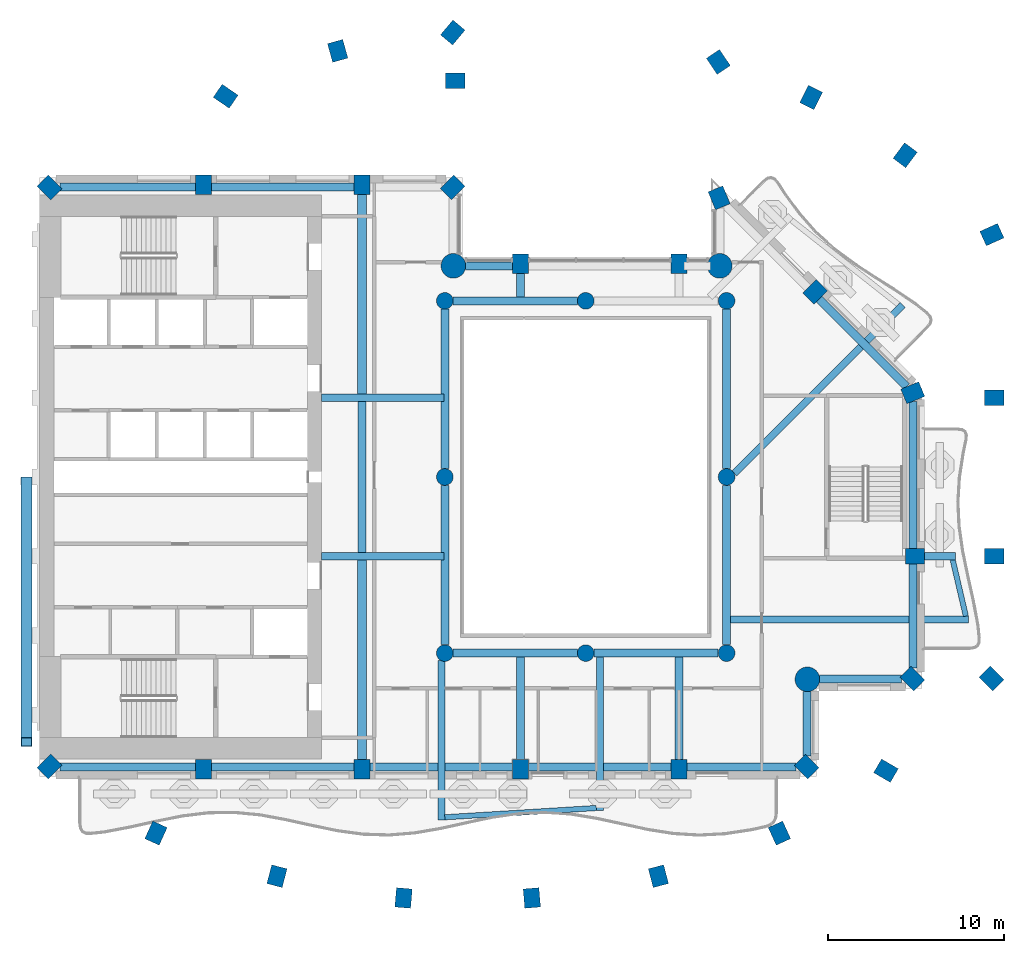
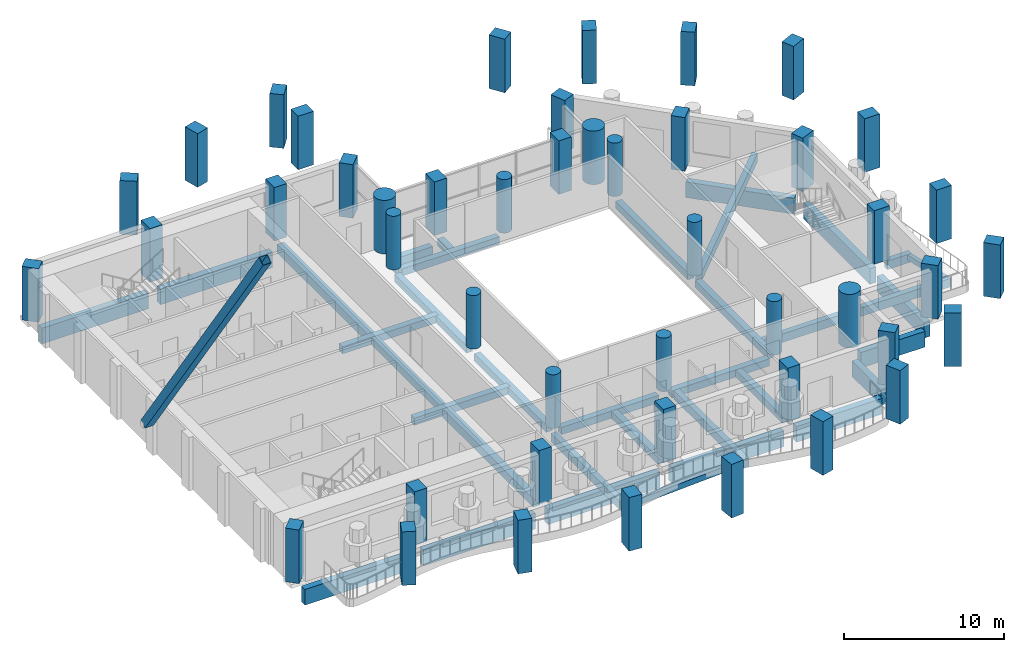
# One storey, part 1 of 16: 46 columns, 35 beams, 1 member.
"""IFC4 building model written with IfcOpenShell, lengths in metres."""

from ifc_helpers import new_model, si_unit, direction, frame, origin, origin_2d, place, context, subcontext, project, spatial, rectangle, hollow_rectangle, circle, extrude, material, material_profile, profile_set, type_object, element, save


model = new_model("IFC4")

# Units and contexts
model_context = context("Model", 3, precision=1e-05, world=origin(), true_north=direction((0.0, 1.0)))
body_context = subcontext(model_context, "Body", "Model", "MODEL_VIEW")
ifc_project = project(units=[si_unit("LENGTHUNIT", "METRE"), si_unit("AREAUNIT", "SQUARE_METRE"), si_unit("VOLUMEUNIT", "CUBIC_METRE"), si_unit("PLANEANGLEUNIT", "RADIAN"), si_unit("MASSUNIT", "GRAM", prefix="KILO")], contexts=[model_context])

# Site, building, storey
site_placement = place(None, origin())
site = spatial("IfcSite", under=ifc_project, at=site_placement, CompositionType="ELEMENT")
building_placement = place(site_placement, origin())
building = spatial("IfcBuilding", under=site, at=building_placement, Name="Cypress Arch Tower", CompositionType="ELEMENT")
storey_placement = place(building_placement, frame((0.0, 0.0, 172.800048828125)))
storey = spatial("IfcBuildingStorey", under=building, at=storey_placement, Name="L37", CompositionType="ELEMENT", Elevation=172.800048828125)

# Columns
ifc_material_1 = material(Name="Concrete C70/85", Category="concrete")
ifc_material_profile_1 = material_profile(ifc_material_1, rectangle(XDim=0.89990234375, YDim=1.10009765625, at=origin_2d()), Name="RC 900x1100")
ifc_profile_set_1 = profile_set([ifc_material_profile_1], Name="Concrete C70/85")
column_type_1 = type_object("IfcColumnType", Name="Column RC 900x1100 Concrete C70/85", PredefinedType="COLUMN", material=ifc_profile_set_1)
for number, where, z_axis, x_axis, name in (
    (1, (-29.44287109375, 16.44287109375, 0.0), (0.0, 0.0, 1.0), (-0.707106781187, -0.707106781187, 0.0), "Column L37 CB00"),
    (2, (-29.44287109375, -16.44287109375, 0.0), (0.0, 0.0, 1.0), (0.707106781187, -0.707106781187, 0.0), "Column L37 CB01"),
    (3, (-20.699951171875, -16.60009765625, 0.0), (0.0, 0.0, 1.0), (1.0, 0.0, 0.0), "Column L37 CB02"),
    (4, (-11.699951171875, -16.60009765625, 0.0), (0.0, 0.0, 1.0), (1.0, 0.0, 0.0), "Column L37 CB03"),
    (5, (-2.699951171875, -16.60009765625, 0.0), (0.0, 0.0, 1.0), (1.0, 0.0, 0.0), "Column L37 CB04"),
    (6, (6.300048828125, -16.60009765625, 0.0), (0.0, 0.0, 1.0), (1.0, 0.0, 0.0), "Column L37 CB05"),
    (7, (13.54296875, -16.44287109375, 0.0), (0.0, 0.0, 1.0), (0.707106781187, 0.707106781187, 0.0), "Column L37 CB06"),
    (8, (19.54296875, -11.44287109375, 0.0), (0.0, 0.0, 1.0), (0.707106781187, 0.707106781187, 0.0), "Column L37 CB08"),
    (9, (19.699951171875, -4.5, 0.0), (0.0, 0.0, 1.0), (0.0, 1.0, 0.0), "Column L37 CB09"),
    (10, (19.569580078125, 4.7802734375, 0.0), (0.0, 0.0, 1.0), (-0.382683496864, 0.923879505795, 0.0), "Column L37 CB10"),
    (11, (14.029296875, 10.505126953125, 0.0), (0.0, 0.0, 1.0), (-0.707106781187, 0.707106781187, 0.0), "Column L37 CB11"),
    (12, (8.576171875, 15.850341796875, 0.0), (0.0, 0.0, 1.0), (-0.923879672772, -0.382683093746, 0.0), "Column L37 CB12"),
    (13, (6.300048828125, 12.10009765625, 0.0), (0.0, 0.0, 1.0), (-1.0, 0.0, 0.0), "Column L37 CB14"),
    (14, (-2.699951171875, 12.10009765625, 0.0), (0.0, 0.0, 1.0), (-1.0, 0.0, 0.0), "Column L37 CB15"),
    (15, (-6.55712890625, 16.44287109375, 0.0), (0.0, 0.0, 1.0), (-0.707106781187, 0.707106781187, 0.0), "Column L37 CB17"),
    (16, (-11.699951171875, 16.60009765625, 0.0), (0.0, 0.0, 1.0), (-1.0, 0.0, 0.0), "Column L37 CB18"),
    (17, (-20.699951171875, 16.60009765625, 0.0), (0.0, 0.0, 1.0), (-1.0, 0.0, 0.0), "Column L37 CB19"),
    (18, (8.53076171875, 23.564697265625, 0.0), (0.0, 0.0, 1.0), (-0.828469606019, -0.560034027451, 0.0), "Column L37 CQ00"),
    (19, (-6.39990234375, 22.5, 0.0), (0.0, 0.0, 1.0), (0.0, 1.0, 0.0), "Column L37 CQ01"),
    (20, (-6.54833984375, 25.236572265625, 0.0), (0.0, 0.0, 1.0), (-0.766063514674, 0.642764880407, 0.0), "Column L37 CQ02"),
    (21, (-13.081298828125, 24.193359375, 0.0), (0.0, 0.0, 1.0), (-0.96345574646, -0.267867550506, 0.0), "Column L37 CQ03"),
    (22, (-19.44189453125, 21.616943359375, 0.0), (0.0, 0.0, 1.0), (-0.565892599589, -0.824478966215, 0.0), "Column L37 CQ04"),
    (23, (-23.398193359375, -20.221435546875, 0.0), (0.0, 0.0, 1.0), (0.909932071487, -0.414757308891, 0.0), "Column L37 CQ05"),
    (24, (-16.529052734375, -22.666259765625, 0.0), (0.0, 0.0, 1.0), (0.96735573689, -0.2534223319, 0.0), "Column L37 CQ06"),
    (25, (-9.3427734375, -23.903564453125, 0.0), (0.0, 0.0, 1.0), (0.996368206733, -0.085149260784, 0.0), "Column L37 CQ07"),
    (26, (-2.057373046875, -23.903564453125, 0.0), (0.0, 0.0, 1.0), (0.996368206733, 0.085149260784, 0.0), "Column L37 CQ08"),
    (27, (5.12890625, -22.666259765625, 0.0), (0.0, 0.0, 1.0), (0.96735573689, 0.2534223319, 0.0), "Column L37 CQ09"),
    (28, (11.998291015625, -20.221435546875, 0.0), (0.0, 0.0, 1.0), (0.909932071487, 0.414757308891, 0.0), "Column L37 CQ10"),
    (29, (18.048095703125, -16.677490234375, 0.0), (0.0, 0.0, 1.0), (0.504399289829, 0.86347053014, 0.0), "Column L37 CQ11"),
    (30, (24.04296875, -11.44287109375, 0.0), (0.0, 0.0, 1.0), (0.707106781187, 0.707106781187, 0.0), "Column L37 CQ12"),
    (31, (24.199951171875, -4.5, 0.0), (0.0, 0.0, 1.0), (0.0, 1.0, 0.0), "Column L37 CQ13"),
    (32, (24.199951171875, 4.5, 0.0), (0.0, 0.0, 1.0), (0.0, 1.0, 0.0), "Column L37 CQ14"),
    (33, (24.06396484375, 13.75927734375, 0.0), (0.0, 0.0, 1.0), (-0.409765058504, 0.912191096662, 0.0), "Column L37 CQ15"),
    (34, (19.13818359375, 18.267578125, 0.0), (0.0, 0.0, 1.0), (-0.802798546114, 0.596250362144, 0.0), "Column L37 CQ16"),
    (35, (13.80322265625, 21.549072265625, 0.0), (0.0, 0.0, 1.0), (-0.893106499805, 0.44984528452, 0.0), "Column L37 CQ17"),
):
    element("IfcColumn", number, at=place(storey_placement, frame(where, z_axis=z_axis, x_axis=x_axis)), inside=storey, type_object=column_type_1, Name=name, PredefinedType="COLUMN", context=body_context, shape_type="SweptSolid", body=[
        extrude(rectangle(XDim=0.89990234375, YDim=1.10009765625, at=origin_2d()), origin(), (0.0, 0.0, 1.0), 4.099853515625),
    ])
ifc_material_2 = material(Name="Concrete C70/85", Category="concrete")
ifc_material_profile_2 = material_profile(ifc_material_2, circle(Radius=0.47509765625, at=origin_2d()), Name="RC D950")
ifc_profile_set_2 = profile_set([ifc_material_profile_2], Name="Concrete C70/85")
column_type_2 = type_object("IfcColumnType", Name="Column RC D950 Concrete C70/85", PredefinedType="COLUMN", material=ifc_profile_set_2)
for number, where, z_axis, x_axis, name in (
    (36, (-7.0, -10.0, 0.0), (0.0, 0.0, 1.0), (1.0, 0.0, 0.0), "Column L37 RNG-L37-G-7-10"),
    (37, (-7.0, 0.0, 0.0), (0.0, 0.0, 1.0), (1.0, 0.0, 0.0), "Column L37 RNG-L37-G-7+0"),
    (38, (-7.0, 10.0, 0.0), (0.0, 0.0, 1.0), (1.0, 0.0, 0.0), "Column L37 RNG-L37-G-7+10"),
    (39, (1.0, -10.0, 0.0), (0.0, 0.0, 1.0), (1.0, 0.0, 0.0), "Column L37 RNG-L37-G+1-10"),
    (40, (1.0, 10.0, 0.0), (0.0, 0.0, 1.0), (1.0, 0.0, 0.0), "Column L37 RNG-L37-G+1+10"),
    (41, (9.0, -10.0, 0.0), (0.0, 0.0, 1.0), (1.0, 0.0, 0.0), "Column L37 RNG-L37-G+9-10"),
    (42, (9.0, 0.0, 0.0), (0.0, 0.0, 1.0), (1.0, 0.0, 0.0), "Column L37 RNG-L37-G+9+0"),
    (43, (9.0, 10.0, 0.0), (0.0, 0.0, 1.0), (1.0, 0.0, 0.0), "Column L37 RNG-L37-G+9+10"),
):
    element("IfcColumn", number, at=place(storey_placement, frame(where, z_axis=z_axis, x_axis=x_axis)), inside=storey, type_object=column_type_2, Name=name, PredefinedType="COLUMN", context=body_context, shape_type="SweptSolid", body=[
        extrude(circle(Radius=0.47509765625, at=origin_2d()), origin(), (0.0, 0.0, 1.0), 4.099853515625),
    ])
ifc_material_3 = material(Name="Concrete C70/85", Category="concrete")
ifc_material_profile_3 = material_profile(ifc_material_3, circle(Radius=0.699951171875, at=origin_2d()), Name="RC D1400")
ifc_profile_set_3 = profile_set([ifc_material_profile_3], Name="Concrete C70/85")
column_type_3 = type_object("IfcColumnType", Name="Mega-column RC D1400 Concrete C70/85", PredefinedType="COLUMN", material=ifc_profile_set_3)
for number, where, z_axis, x_axis, name in (
    (44, (13.587890625, -11.48779296875, 0.0), (0.0, 0.0, 1.0), (1.0, 0.0, 0.0), "Column L37 CB07"),
    (45, (8.612060546875, 11.98779296875, 0.0), (0.0, 0.0, 1.0), (1.0, 0.0, 0.0), "Column L37 CB13"),
    (46, (-6.51220703125, 11.98779296875, 0.0), (0.0, 0.0, 1.0), (1.0, 0.0, 0.0), "Column L37 CB16"),
):
    element("IfcColumn", number, at=place(storey_placement, frame(where, z_axis=z_axis, x_axis=x_axis)), inside=storey, type_object=column_type_3, Name=name, PredefinedType="COLUMN", context=body_context, shape_type="SweptSolid", body=[
        extrude(circle(Radius=0.699951171875, at=origin_2d()), origin(), (0.0, 0.0, 1.0), 4.099853515625),
    ])

# Beams
ifc_material_4 = material(Name="Concrete C50/60", Category="concrete")
ifc_material_profile_4 = material_profile(ifc_material_4, rectangle(XDim=0.300048828125, YDim=0.39990234375, at=origin_2d()), Name="RC 300x400")
ifc_profile_set_4 = profile_set([ifc_material_profile_4], Name="Concrete C50/60")
beam_type_1 = type_object("IfcBeamType", Name="Balcony edge beam RC 300x400 Concrete C50/60", PredefinedType="BEAM", material=ifc_profile_set_4)
beam_1_placement = place(storey_placement, frame((22.58447265625, -7.89990234375, -0.5), z_axis=(-0.22749030428, 0.973780345591, 0.0), x_axis=(-0.973780345591, -0.22749030428, 0.0)))
element("IfcBeam", 47, at=beam_1_placement, inside=storey, type_object=beam_type_1, Name="Balcony edge beam L37 B04", PredefinedType="BEAM", context=body_context, shape_type="SweptSolid", body=[
    extrude(rectangle(XDim=0.300048828125, YDim=0.39990234375, at=origin_2d()), origin(), (0.0, 0.0, 1.0), 3.2861328125),
])
ifc_material_5 = material(Name="Concrete C50/60", Category="concrete")
ifc_material_profile_5 = material_profile(ifc_material_5, rectangle(XDim=0.300048828125, YDim=0.449951171875, at=origin_2d()), Name="RC 300x450")
ifc_profile_set_5 = profile_set([ifc_material_profile_5], Name="Concrete C50/60")
beam_type_2 = type_object("IfcBeamType", Name="Balcony edge beam RC 300x450 Concrete C50/60", PredefinedType="BEAM", material=ifc_profile_set_5)
beam_2_placement = place(storey_placement, frame((-7.0, -19.320556640625, -0.525146484375), z_axis=(0.998139137365, 0.060977557021, 0.0), x_axis=(-0.060977557021, 0.998139137365, 0.0)))
element("IfcBeam", 48, at=beam_2_placement, inside=storey, type_object=beam_type_2, Name="Balcony edge beam L37 B01", PredefinedType="BEAM", context=body_context, shape_type="SweptSolid", body=[
    extrude(rectangle(XDim=0.300048828125, YDim=0.449951171875, at=origin_2d()), origin(), (0.0, 0.0, 1.0), 8.6162109375),
])
ifc_material_6 = material(Name="Concrete C50/60", Category="concrete")
ifc_material_profile_6 = material_profile(ifc_material_6, rectangle(XDim=0.39990234375, YDim=0.64990234375, at=origin_2d()), Name="RC 400x650")
ifc_profile_set_6 = profile_set([ifc_material_profile_6], Name="Concrete C50/60")
beam_type_3 = type_object("IfcBeamType", Name="Cantilever beam RC 400x650 Concrete C50/60", PredefinedType="BEAM", material=ifc_profile_set_6)
beam_3_placement = place(storey_placement, frame((-7.199951171875, -10.4306640625, -0.625), z_axis=(0.0, -1.0, 0.0), x_axis=(1.0, 0.0, 0.0)))
element("IfcBeam", 49, at=beam_3_placement, inside=storey, type_object=beam_type_3, Name="Cantilever beam L37 B01 1", PredefinedType="BEAM", context=body_context, shape_type="SweptSolid", body=[
    extrude(rectangle(XDim=0.39990234375, YDim=0.64990234375, at=origin_2d()), origin(), (0.0, 0.0, 1.0), 9.039794921875),
])
beam_4_placement = place(storey_placement, frame((1.800048828125, -10.22509765625, -0.625), z_axis=(0.0, -1.0, 0.0), x_axis=(1.0, 0.0, 0.0)))
element("IfcBeam", 50, at=beam_4_placement, inside=storey, type_object=beam_type_3, Name="Cantilever beam L37 B01 2", PredefinedType="BEAM", context=body_context, shape_type="SweptSolid", body=[
    extrude(rectangle(XDim=0.39990234375, YDim=0.64990234375, at=origin_2d()), origin(), (0.0, 0.0, 1.0), 8.719970703125),
])
beam_5_placement = place(storey_placement, frame((9.22509765625, -8.10009765625, -0.625), z_axis=(1.0, 0.0, 0.0), x_axis=(0.0, 1.0, 0.0)))
element("IfcBeam", 51, at=beam_5_placement, inside=storey, type_object=beam_type_3, Name="Cantilever beam L37 B04 1", PredefinedType="BEAM", context=body_context, shape_type="SweptSolid", body=[
    extrude(rectangle(XDim=0.39990234375, YDim=0.64990234375, at=origin_2d()), origin(), (0.0, 0.0, 1.0), 13.50927734375),
])
beam_6_placement = place(storey_placement, frame((20.25, -4.5, -0.625), z_axis=(1.0, 0.0, 0.0), x_axis=(0.0, 1.0, 0.0)))
element("IfcBeam", 52, at=beam_6_placement, inside=storey, type_object=beam_type_3, Name="Cantilever beam L37 B04 2", PredefinedType="BEAM", context=body_context, shape_type="SweptSolid", body=[
    extrude(rectangle(XDim=0.39990234375, YDim=0.64990234375, at=origin_2d()), origin(), (0.0, 0.0, 1.0), 1.73681640625),
])
beam_7_placement = place(storey_placement, frame((9.4287109375, 0.204345703125, -0.625), z_axis=(0.707106781187, 0.707106781187, 0.0), x_axis=(-0.707106781187, 0.707106781187, 0.0)))
element("IfcBeam", 53, at=beam_7_placement, inside=storey, type_object=beam_type_3, Name="Cantilever beam L37 B05 1", PredefinedType="BEAM", context=body_context, shape_type="SweptSolid", body=[
    extrude(rectangle(XDim=0.39990234375, YDim=0.64990234375, at=origin_2d()), origin(), (0.0, 0.0, 1.0), 13.5234375),
])
ifc_material_7 = material(Name="Concrete C50/60", Category="concrete")
ifc_material_profile_7 = material_profile(ifc_material_7, rectangle(XDim=0.449951171875, YDim=0.550048828125, at=origin_2d()), Name="RC 450x550")
ifc_profile_set_7 = profile_set([ifc_material_profile_7], Name="Concrete C50/60")
beam_type_4 = type_object("IfcBeamType", Name="Floor beam RC 450x550 Concrete C50/60", PredefinedType="BEAM", material=ifc_profile_set_7)
for number, where, z_axis, x_axis, name in (
    (54, (-7.0, -9.52490234375, -0.574951171875), (0.0, 1.0, 0.0), (-1.0, 0.0, 0.0), "Floor beam L37 RB001"),
    (55, (-7.0, 0.47509765625, -0.574951171875), (0.0, 1.0, 0.0), (-1.0, 0.0, 0.0), "Floor beam L37 RB002"),
    (56, (9.0, -9.52490234375, -0.574951171875), (0.0, 1.0, 0.0), (-1.0, 0.0, 0.0), "Floor beam L37 RB003"),
    (57, (9.0, 0.47509765625, -0.574951171875), (0.0, 1.0, 0.0), (-1.0, 0.0, 0.0), "Floor beam L37 RB004"),
):
    element("IfcBeam", number, at=place(storey_placement, frame(where, z_axis=z_axis, x_axis=x_axis)), inside=storey, type_object=beam_type_4, Name=name, PredefinedType="BEAM", context=body_context, shape_type="SweptSolid", body=[
        extrude(rectangle(XDim=0.449951171875, YDim=0.550048828125, at=origin_2d()), origin(), (0.0, 0.0, 1.0), 9.0498046875),
    ])
for number, where, z_axis, x_axis, name in (
    (58, (-6.52490234375, -10.0, -0.574951171875), (1.0, 0.0, 0.0), (0.0, 1.0, 0.0), "Floor beam L37 RB005"),
    (59, (1.47509765625, -10.0, -0.574951171875), (1.0, 0.0, 0.0), (0.0, 1.0, 0.0), "Floor beam L37 RB006"),
    (60, (-6.52490234375, 10.0, -0.574951171875), (1.0, 0.0, 0.0), (0.0, 1.0, 0.0), "Floor beam L37 RB007"),
):
    element("IfcBeam", number, at=place(storey_placement, frame(where, z_axis=z_axis, x_axis=x_axis)), inside=storey, type_object=beam_type_4, Name=name, PredefinedType="BEAM", context=body_context, shape_type="SweptSolid", body=[
        extrude(rectangle(XDim=0.449951171875, YDim=0.550048828125, at=origin_2d()), origin(), (0.0, 0.0, 1.0), 7.0498046875),
    ])
for number, where, z_axis, x_axis, name in (
    (61, (-14.0, -4.5, -0.574951171875), (1.0, 0.0, 0.0), (0.0, 1.0, 0.0), "Floor beam L37 FB009"),
    (62, (-14.0, 4.5, -0.574951171875), (1.0, 0.0, 0.0), (0.0, 1.0, 0.0), "Floor beam L37 FB010"),
):
    element("IfcBeam", number, at=place(storey_placement, frame(where, z_axis=z_axis, x_axis=x_axis)), inside=storey, type_object=beam_type_4, Name=name, PredefinedType="BEAM", context=body_context, shape_type="SweptSolid", body=[
        extrude(rectangle(XDim=0.449951171875, YDim=0.550048828125, at=origin_2d()), origin(), (0.0, 0.0, 1.0), 6.949951171875),
    ])
beam_8_placement = place(storey_placement, frame((-11.699951171875, -4.27490234375, -0.574951171875), z_axis=(0.0, 1.0, 0.0), x_axis=(-1.0, 0.0, 0.0)))
element("IfcBeam", 63, at=beam_8_placement, inside=storey, type_object=beam_type_4, Name="Floor beam L37 FB012", PredefinedType="BEAM", context=body_context, shape_type="SweptSolid", body=[
    extrude(rectangle(XDim=0.449951171875, YDim=0.550048828125, at=origin_2d()), origin(), (0.0, 0.0, 1.0), 8.5498046875),
])
beam_9_placement = place(storey_placement, frame((-2.699951171875, -16.050048828125, -0.574951171875), z_axis=(0.0, 1.0, 0.0), x_axis=(-1.0, 0.0, 0.0)))
element("IfcBeam", 64, at=beam_9_placement, inside=storey, type_object=beam_type_4, Name="Floor beam L37 FB014", PredefinedType="BEAM", context=body_context, shape_type="SweptSolid", body=[
    extrude(rectangle(XDim=0.449951171875, YDim=0.550048828125, at=origin_2d()), origin(), (0.0, 0.0, 1.0), 5.824951171875),
])
beam_10_placement = place(storey_placement, frame((-2.699951171875, 10.22509765625, -0.574951171875), z_axis=(0.0, 1.0, 0.0), x_axis=(-1.0, 0.0, 0.0)))
element("IfcBeam", 65, at=beam_10_placement, inside=storey, type_object=beam_type_4, Name="Floor beam L37 FB015", PredefinedType="BEAM", context=body_context, shape_type="SweptSolid", body=[
    extrude(rectangle(XDim=0.449951171875, YDim=0.550048828125, at=origin_2d()), origin(), (0.0, 0.0, 1.0), 1.324951171875),
])
beam_11_placement = place(storey_placement, frame((6.300048828125, -16.050048828125, -0.574951171875), z_axis=(0.0, 1.0, 0.0), x_axis=(-1.0, 0.0, 0.0)))
element("IfcBeam", 66, at=beam_11_placement, inside=storey, type_object=beam_type_4, Name="Floor beam L37 FB016", PredefinedType="BEAM", context=body_context, shape_type="SweptSolid", body=[
    extrude(rectangle(XDim=0.449951171875, YDim=0.550048828125, at=origin_2d()), origin(), (0.0, 0.0, 1.0), 5.824951171875),
])
ifc_material_8 = material(Name="Concrete C50/60", Category="concrete")
ifc_material_profile_8 = material_profile(ifc_material_8, rectangle(XDim=0.5, YDim=0.64990234375, at=origin_2d()), Name="RC 500x650")
ifc_profile_set_8 = profile_set([ifc_material_profile_8], Name="Concrete C50/60")
beam_type_5 = type_object("IfcBeamType", Name="Floor beam RC 500x650 Concrete C50/60", PredefinedType="BEAM", material=ifc_profile_set_8)
for number, where, z_axis, x_axis, name in (
    (67, (-11.699951171875, -16.050048828125, -0.625), (0.0, 1.0, 0.0), (-1.0, 0.0, 0.0), "Floor beam L37 FB011"),
    (68, (-11.699951171875, 4.72509765625, -0.625), (0.0, 1.0, 0.0), (-1.0, 0.0, 0.0), "Floor beam L37 FB013"),
):
    element("IfcBeam", number, at=place(storey_placement, frame(where, z_axis=z_axis, x_axis=x_axis)), inside=storey, type_object=beam_type_5, Name=name, PredefinedType="BEAM", context=body_context, shape_type="SweptSolid", body=[
        extrude(rectangle(XDim=0.5, YDim=0.64990234375, at=origin_2d()), origin(), (0.0, 0.0, 1.0), 11.324951171875),
    ])
ifc_material_9 = material(Name="Concrete C50/60", Category="concrete")
ifc_material_profile_9 = material_profile(ifc_material_9, rectangle(XDim=0.449951171875, YDim=1.199951171875, at=origin_2d()), Name="RC 450x1200")
ifc_profile_set_9 = profile_set([ifc_material_profile_9], Name="Concrete C50/60")
beam_type_6 = type_object("IfcBeamType", Name="Spandrel beam RC 450x1200 Concrete C50/60", PredefinedType="SPANDREL", material=ifc_profile_set_9)
beam_12_placement = place(storey_placement, frame((-28.838623046875, -16.47509765625, -1.550048828125), z_axis=(1.0, 0.0, 0.0), x_axis=(0.0, 1.0, 0.0)))
element("IfcBeam", 69, at=beam_12_placement, inside=storey, type_object=beam_type_6, Name="Spandrel beam L37 BB01-0", PredefinedType="SPANDREL", context=body_context, shape_type="SweptSolid", body=[
    extrude(rectangle(XDim=0.449951171875, YDim=1.199951171875, at=origin_2d()), origin(), (0.0, 0.0, 1.0), 7.688720703125),
])
for number, where, z_axis, x_axis, name in (
    (70, (-20.25, -16.47509765625, -1.550048828125), (1.0, 0.0, 0.0), (0.0, 1.0, 0.0), "Spandrel beam L37 BB01-1"),
    (71, (-11.25, -16.47509765625, -1.550048828125), (1.0, 0.0, 0.0), (0.0, 1.0, 0.0), "Spandrel beam L37 BB01-2"),
    (72, (-2.25, -16.47509765625, -1.550048828125), (1.0, 0.0, 0.0), (0.0, 1.0, 0.0), "Spandrel beam L37 BB01-3"),
):
    element("IfcBeam", number, at=place(storey_placement, frame(where, z_axis=z_axis, x_axis=x_axis)), inside=storey, type_object=beam_type_6, Name=name, PredefinedType="SPANDREL", context=body_context, shape_type="SweptSolid", body=[
        extrude(rectangle(XDim=0.449951171875, YDim=1.199951171875, at=origin_2d()), origin(), (0.0, 0.0, 1.0), 8.10009765625),
    ])
beam_13_placement = place(storey_placement, frame((6.75, -16.47509765625, -1.550048828125), z_axis=(1.0, 0.0, 0.0), x_axis=(0.0, 1.0, 0.0)))
element("IfcBeam", 73, at=beam_13_placement, inside=storey, type_object=beam_type_6, Name="Spandrel beam L37 BB01-4", PredefinedType="SPANDREL", context=body_context, shape_type="SweptSolid", body=[
    extrude(rectangle(XDim=0.449951171875, YDim=1.199951171875, at=origin_2d()), origin(), (0.0, 0.0, 1.0), 6.188720703125),
])
beam_14_placement = place(storey_placement, frame((13.574951171875, -15.838623046875, -1.550048828125), z_axis=(0.0, 1.0, 0.0), x_axis=(-1.0, 0.0, 0.0)))
element("IfcBeam", 74, at=beam_14_placement, inside=storey, type_object=beam_type_6, Name="Spandrel beam L37 BB02-0", PredefinedType="SPANDREL", context=body_context, shape_type="SweptSolid", body=[
    extrude(rectangle(XDim=0.449951171875, YDim=1.199951171875, at=origin_2d()), origin(), (0.0, 0.0, 1.0), 3.651123046875),
])
beam_15_placement = place(storey_placement, frame((14.28759765625, -11.47509765625, -1.550048828125), z_axis=(1.0, 0.0, 0.0), x_axis=(0.0, 1.0, 0.0)))
element("IfcBeam", 75, at=beam_15_placement, inside=storey, type_object=beam_type_6, Name="Spandrel beam L37 BB03-0", PredefinedType="SPANDREL", context=body_context, shape_type="SweptSolid", body=[
    extrude(rectangle(XDim=0.449951171875, YDim=1.199951171875, at=origin_2d()), origin(), (0.0, 0.0, 1.0), 4.651123046875),
])
beam_16_placement = place(storey_placement, frame((19.574951171875, -10.838623046875, -1.550048828125), z_axis=(0.0, 1.0, 0.0), x_axis=(-1.0, 0.0, 0.0)))
element("IfcBeam", 76, at=beam_16_placement, inside=storey, type_object=beam_type_6, Name="Spandrel beam L37 BB04-0", PredefinedType="SPANDREL", context=body_context, shape_type="SweptSolid", body=[
    extrude(rectangle(XDim=0.449951171875, YDim=1.199951171875, at=origin_2d()), origin(), (0.0, 0.0, 1.0), 5.888671875),
])
beam_17_placement = place(storey_placement, frame((19.574951171875, -4.050048828125, -1.550048828125), z_axis=(0.0, 1.0, 0.0), x_axis=(-1.0, 0.0, 0.0)))
element("IfcBeam", 77, at=beam_17_placement, inside=storey, type_object=beam_type_6, Name="Spandrel beam L37 BB04-1", PredefinedType="SPANDREL", context=body_context, shape_type="SweptSolid", body=[
    extrude(rectangle(XDim=0.449951171875, YDim=1.199951171875, at=origin_2d()), origin(), (0.0, 0.0, 1.0), 8.345458984375),
])
beam_18_placement = place(storey_placement, frame((19.23046875, 5.126953125, -1.550048828125), z_axis=(-0.707106781187, 0.707106781187, 0.0), x_axis=(-0.707106781187, -0.707106781187, 0.0)))
element("IfcBeam", 78, at=beam_18_placement, inside=storey, type_object=beam_type_6, Name="Spandrel beam L37 BB05-0", PredefinedType="SPANDREL", context=body_context, shape_type="SweptSolid", body=[
    extrude(rectangle(XDim=0.449951171875, YDim=1.199951171875, at=origin_2d()), origin(), (0.0, 0.0, 1.0), 7.03076171875),
])
beam_19_placement = place(storey_placement, frame((-3.14990234375, 11.97509765625, -1.550048828125), z_axis=(-1.0, 0.0, 0.0), x_axis=(0.0, -1.0, 0.0)))
element("IfcBeam", 79, at=beam_19_placement, inside=storey, type_object=beam_type_6, Name="Spandrel beam L37 BB07-2", PredefinedType="SPANDREL", context=body_context, shape_type="SweptSolid", body=[
    extrude(rectangle(XDim=0.449951171875, YDim=1.199951171875, at=origin_2d()), origin(), (0.0, 0.0, 1.0), 2.66259765625),
])
beam_20_placement = place(storey_placement, frame((-12.14990234375, 16.47509765625, -1.550048828125), z_axis=(-1.0, 0.0, 0.0), x_axis=(0.0, -1.0, 0.0)))
element("IfcBeam", 80, at=beam_20_placement, inside=storey, type_object=beam_type_6, Name="Spandrel beam L37 BB09-1", PredefinedType="SPANDREL", context=body_context, shape_type="SweptSolid", body=[
    extrude(rectangle(XDim=0.449951171875, YDim=1.199951171875, at=origin_2d()), origin(), (0.0, 0.0, 1.0), 8.10009765625),
])
beam_21_placement = place(storey_placement, frame((-21.14990234375, 16.47509765625, -1.550048828125), z_axis=(-1.0, 0.0, 0.0), x_axis=(0.0, -1.0, 0.0)))
element("IfcBeam", 81, at=beam_21_placement, inside=storey, type_object=beam_type_6, Name="Spandrel beam L37 BB09-2", PredefinedType="SPANDREL", context=body_context, shape_type="SweptSolid", body=[
    extrude(rectangle(XDim=0.449951171875, YDim=1.199951171875, at=origin_2d()), origin(), (0.0, 0.0, 1.0), 7.688720703125),
])

# Member
ifc_material_10 = material(Name="Steel ASTM A501 Grade B", Category="steel")
ifc_material_profile_10 = material_profile(ifc_material_10, hollow_rectangle(XDim=0.609619140625, YDim=0.609619140625, WallThickness=0.023681640625, at=origin_2d()), Name="HSS 24x24x1")
ifc_profile_set_10 = profile_set([ifc_material_profile_10], Name="Steel ASTM A501 Grade B")
member_type = type_object("IfcMemberType", Name="West bracing diagonal HSS 24x24x1 Steel ASTM A501 Grade B", PredefinedType="BRACE", material=ifc_profile_set_10)
member_placement = place(storey_placement, frame((-30.7548828125, -15.044921875, 23.932861328125), z_axis=(0.0, 0.568303056355, -0.822819321684), x_axis=(-1.0, 0.0, 0.0)))
element("IfcMember", 82, at=member_placement, inside=storey, type_object=member_type, Name="West bracing diagonal 3B", PredefinedType="BRACE", context=body_context, shape_type="SweptSolid", body=[
    extrude(hollow_rectangle(XDim=0.609619140625, YDim=0.609619140625, WallThickness=0.023681640625, at=origin_2d()), origin(), (0.0, 0.0, 1.0), 26.03271484375),
])

save(model, "model.ifc")
